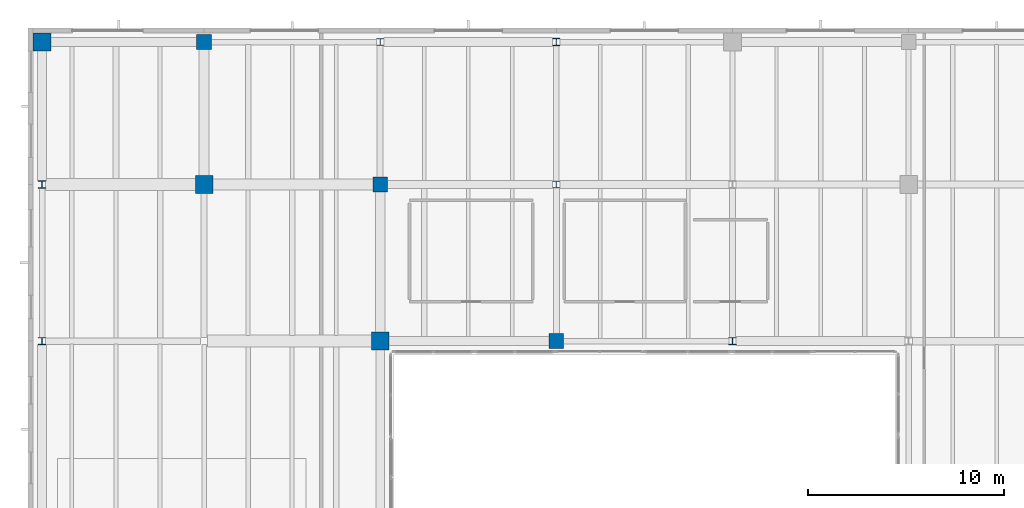
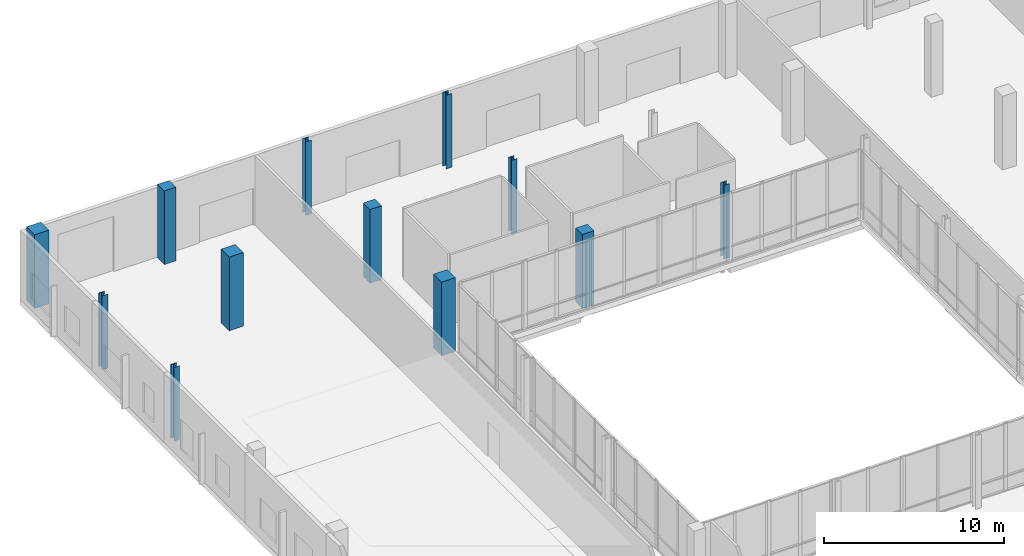
# One storey, part 9 of 88: 12 columns.
"""IFC4 building model written with IfcOpenShell, lengths in metres."""

from ifc_helpers import new_model, si_unit, direction, frame, origin, origin_2d, place, context, subcontext, project, spatial, rectangle, i_section, extrude, material, material_profile, profile_set, type_object, element, save


model = new_model("IFC4")

# Units and contexts
model_context = context("Model", 3, precision=1e-05, world=origin(), true_north=direction((0.0, 1.0)))
body_context = subcontext(model_context, "Body", "Model", "MODEL_VIEW")
ifc_project = project(units=[si_unit("LENGTHUNIT", "METRE"), si_unit("AREAUNIT", "SQUARE_METRE"), si_unit("VOLUMEUNIT", "CUBIC_METRE"), si_unit("PLANEANGLEUNIT", "RADIAN"), si_unit("MASSUNIT", "GRAM", prefix="KILO")], contexts=[model_context])

# Site, building, storey
site_placement = place(None, origin())
site = spatial("IfcSite", under=ifc_project, at=site_placement, CompositionType="ELEMENT")
building_placement = place(site_placement, origin())
building = spatial("IfcBuilding", under=site, at=building_placement, Name="Trimount Lyric Opera House", CompositionType="ELEMENT")
storey_placement = place(building_placement, origin())
storey = spatial("IfcBuildingStorey", under=building, at=storey_placement, Name="L00", CompositionType="ELEMENT", Elevation=0.0)

# Columns
ifc_material_1 = material(Name="Steel ASTM A992 Grade 50", Category="steel")
ifc_material_profile_1 = material_profile(ifc_material_1, i_section(OverallWidth=0.373046875, OverallDepth=0.367919921875, WebThickness=0.014892578125, FlangeThickness=0.02392578125, FilletRadius=0.014892578125, at=origin_2d()), Name="W14X120")
ifc_profile_set_1 = profile_set([ifc_material_profile_1], Name="Steel ASTM A992 Grade 50")
column_type_1 = type_object("IfcColumnType", Name="C-04", PredefinedType="COLUMN", material=ifc_profile_set_1)
for number, where, z_axis, x_axis, name in (
    (1, (0.719970703125, 110.0, 0.0), (0.0, 0.0, 1.0), (1.0, 0.0, 0.0), "L00 column 1/N"),
    (2, (27.0, 117.280029296875, 0.0), (0.0, 0.0, 1.0), (1.0, 0.0, 0.0), "L00 column 4/P"),
):
    element("IfcColumn", number, at=place(storey_placement, frame(where, z_axis=z_axis, x_axis=x_axis)), inside=storey, type_object=column_type_1, Name=name, PredefinedType="COLUMN", context=body_context, shape_type="SweptSolid", body=[
        extrude(i_section(OverallWidth=0.373046875, OverallDepth=0.367919921875, WebThickness=0.014892578125, FlangeThickness=0.02392578125, FilletRadius=0.014892578125, at=origin_2d()), origin(), (0.0, 0.0, 1.0), 5.0),
    ])
ifc_material_2 = material(Name="Steel ASTM A992 Grade 50", Category="steel")
ifc_material_profile_2 = material_profile(ifc_material_2, i_section(OverallWidth=0.367919921875, OverallDepth=0.35595703125, WebThickness=0.01123046875, FlangeThickness=0.01806640625, FilletRadius=0.014892578125, at=origin_2d()), Name="W14X90")
ifc_profile_set_2 = profile_set([ifc_material_profile_2], Name="Steel ASTM A992 Grade 50")
column_type_2 = type_object("IfcColumnType", Name="C-09", PredefinedType="COLUMN", material=ifc_profile_set_2)
for number, where, z_axis, x_axis, name in (
    (3, (0.719970703125, 102.0, 0.0), (0.0, 0.0, 1.0), (1.0, 0.0, 0.0), "L00 column 1/M"),
    (4, (18.0, 117.280029296875, 0.0), (0.0, 0.0, 1.0), (1.0, 0.0, 0.0), "L00 column 3/P"),
    (5, (27.0, 110.0, 0.0), (0.0, 0.0, 1.0), (1.0, 0.0, 0.0), "L00 column 4/N"),
    (6, (36.0, 102.0, 0.0), (0.0, 0.0, 1.0), (1.0, 0.0, 0.0), "L00 column 5/M"),
):
    element("IfcColumn", number, at=place(storey_placement, frame(where, z_axis=z_axis, x_axis=x_axis)), inside=storey, type_object=column_type_2, Name=name, PredefinedType="COLUMN", context=body_context, shape_type="SweptSolid", body=[
        extrude(i_section(OverallWidth=0.367919921875, OverallDepth=0.35595703125, WebThickness=0.01123046875, FlangeThickness=0.01806640625, FilletRadius=0.014892578125, at=origin_2d()), origin(), (0.0, 0.0, 1.0), 5.0),
    ])
ifc_material_3 = material(Name="Concrete C50/60", Category="concrete")
ifc_material_profile_3 = material_profile(ifc_material_3, rectangle(XDim=0.89990234375, YDim=0.89990234375, at=origin_2d()), Name="RC900X900")
ifc_profile_set_3 = profile_set([ifc_material_profile_3], Name="Concrete C50/60")
column_type_3 = type_object("IfcColumnType", Name="C-13", PredefinedType="COLUMN", material=ifc_profile_set_3)
for number, where, z_axis, x_axis, name in (
    (7, (0.719970703125, 117.280029296875, 0.0), (0.0, 0.0, 1.0), (1.0, 0.0, 0.0), "L00 column 1/P"),
    (8, (9.0, 110.0, 0.0), (0.0, 0.0, 1.0), (1.0, 0.0, 0.0), "L00 column 2/N"),
    (9, (18.0, 102.0, 0.0), (0.0, 0.0, 1.0), (1.0, 0.0, 0.0), "L00 column 3/M"),
):
    element("IfcColumn", number, at=place(storey_placement, frame(where, z_axis=z_axis, x_axis=x_axis)), inside=storey, type_object=column_type_3, Name=name, PredefinedType="COLUMN", context=body_context, shape_type="SweptSolid", body=[
        extrude(rectangle(XDim=0.89990234375, YDim=0.89990234375, at=origin_2d()), origin(), (0.0, 0.0, 1.0), 5.0),
    ])
ifc_material_4 = material(Name="Concrete C40/50", Category="concrete")
ifc_material_profile_4 = material_profile(ifc_material_4, rectangle(XDim=0.75, YDim=0.75, at=origin_2d()), Name="RC750X750")
ifc_profile_set_4 = profile_set([ifc_material_profile_4], Name="Concrete C40/50")
column_type_4 = type_object("IfcColumnType", Name="C-15", PredefinedType="COLUMN", material=ifc_profile_set_4)
for number, where, z_axis, x_axis, name in (
    (10, (9.0, 117.280029296875, 0.0), (0.0, 0.0, 1.0), (1.0, 0.0, 0.0), "L00 column 2/P"),
    (11, (18.0, 110.0, 0.0), (0.0, 0.0, 1.0), (1.0, 0.0, 0.0), "L00 column 3/N"),
    (12, (27.0, 102.0, 0.0), (0.0, 0.0, 1.0), (1.0, 0.0, 0.0), "L00 column 4/M"),
):
    element("IfcColumn", number, at=place(storey_placement, frame(where, z_axis=z_axis, x_axis=x_axis)), inside=storey, type_object=column_type_4, Name=name, PredefinedType="COLUMN", context=body_context, shape_type="SweptSolid", body=[
        extrude(rectangle(XDim=0.75, YDim=0.75, at=origin_2d()), origin(), (0.0, 0.0, 1.0), 5.0),
    ])

save(model, "model.ifc")
